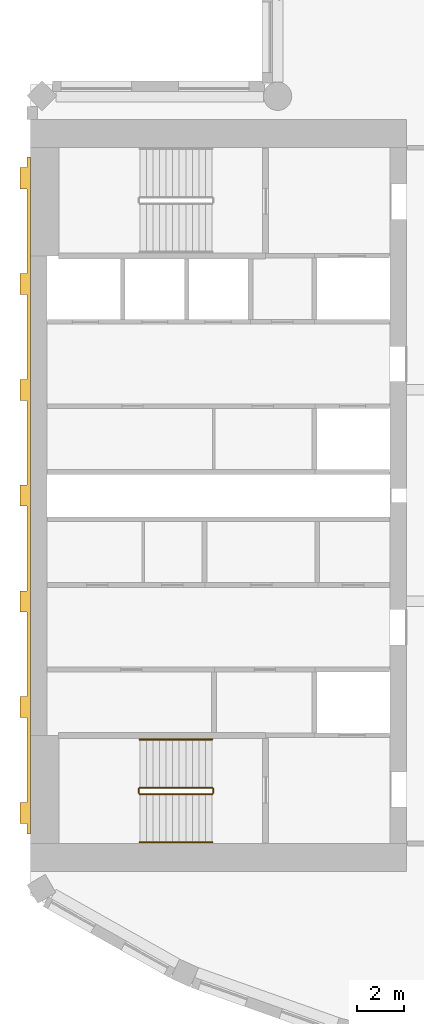
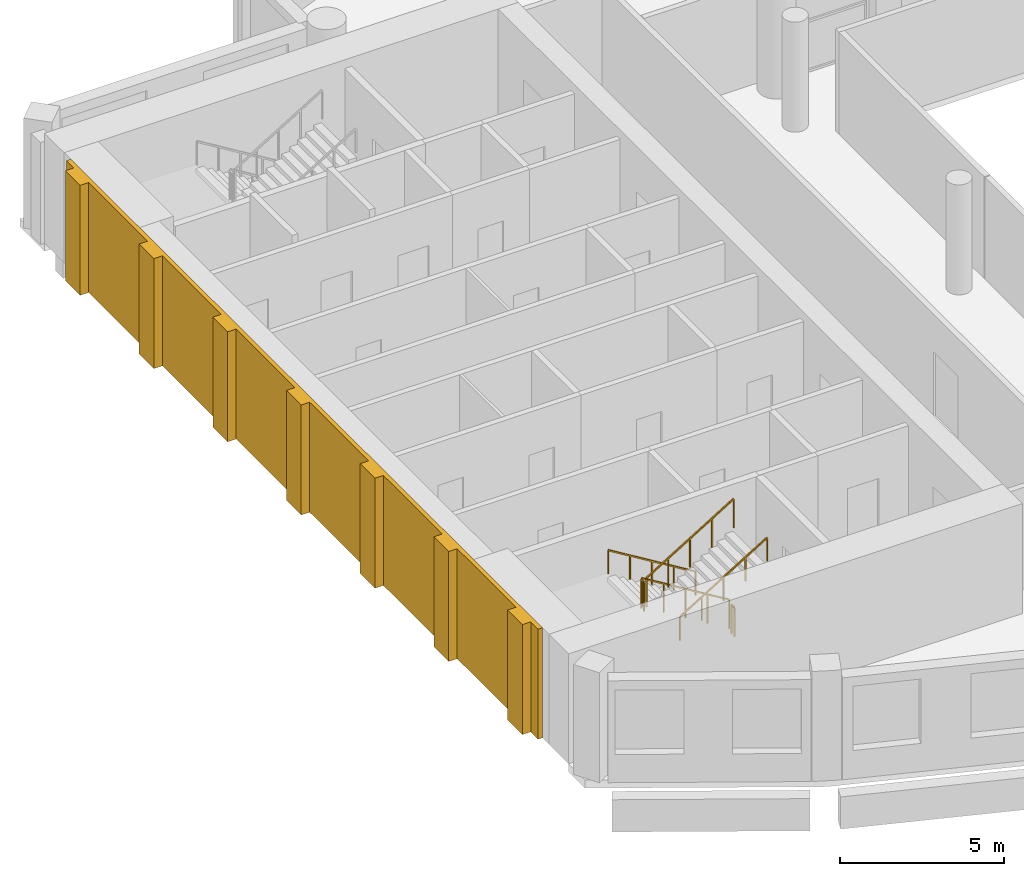
# One storey, part 11 of 15: 6 railings, 1 covering.
"""IFC4 building model written with IfcOpenShell, lengths in metres."""

import ifcopenshell
import ifcopenshell.guid

model = None  # the IFC model being written
_history = None  # IfcOwnerHistory: only IFC2X3 demands one
_inside = {}  # id of a spatial element -> (the spatial element, [elements in it])
_under = {}  # id of a project, library or spatial element -> (it, [spatial elements below it])
_declared = {}  # id of a project -> (the project, [libraries it declares])
_typed = {}  # id of a type object -> (the type object, [elements of that type])
_made_of = {}  # id of a material, layer set ... -> (it, [elements and type objects made of it])


def new_model(schema):
    """Start an empty IFC model of exactly this schema.

    Asked for "IFC4X3", IfcOpenShell would pick the latest addendum, in which some entities
    have other attributes; the version numbers below select the first issue.
    IFC2X3 requires an IfcOwnerHistory on every rooted entity: one is made here for all.
    """
    global model, _history
    if schema == "IFC4X3":
        model = ifcopenshell.file(schema_version=(4, 3, 0, 0))
    else:
        model = ifcopenshell.file(schema=schema)
    _inside.clear()
    _under.clear()
    _declared.clear()
    _typed.clear()
    _made_of.clear()
    _history = None
    if model.schema == "IFC2X3":
        org = make("IfcOrganization", Name="unknown")
        user = make(
            "IfcPersonAndOrganization",
            ThePerson=make("IfcPerson", FamilyName="unknown"),
            TheOrganization=org,
        )
        app = make(
            "IfcApplication",
            ApplicationDeveloper=org,
            Version="unknown",
            ApplicationFullName="unknown",
            ApplicationIdentifier="unknown",
        )
        _history = make(
            "IfcOwnerHistory",
            OwningUser=user,
            OwningApplication=app,
            ChangeAction="ADDED",
            CreationDate=0,
        )
    return model


def make(cls, **values):
    """One entity of the class cls with the attributes given. An attribute that is None is left unset."""
    return model.create_entity(
        cls, **{name: value for name, value in values.items() if value is not None}
    )


def rooted(cls, **values):
    """An entity with a GlobalId (a new one), such as an element, a storey or a relation."""
    return make(cls, GlobalId=ifcopenshell.guid.new(), OwnerHistory=_history, **values)


def si_unit(unit_type, name, prefix=None):
    """IfcSIUnit, for example si_unit("LENGTHUNIT", "METRE", prefix="MILLI")."""
    return make("IfcSIUnit", UnitType=unit_type, Prefix=prefix, Name=name)


def assignment(units):
    """IfcUnitAssignment: the units of a project."""
    return None if units is None else make("IfcUnitAssignment", Units=units)


def point(xyz):
    """IfcCartesianPoint."""
    return None if xyz is None else make("IfcCartesianPoint", Coordinates=xyz)


def direction(xyz):
    """IfcDirection."""
    return None if xyz is None else make("IfcDirection", DirectionRatios=xyz)


def frame(location, z_axis=None, x_axis=None):
    """IfcAxis2Placement3D, a coordinate frame: its origin and axes. An axis left out is left unset."""
    return make(
        "IfcAxis2Placement3D",
        Location=point(location),
        Axis=direction(z_axis),
        RefDirection=direction(x_axis),
    )


def frame_2d(location, x_axis=None):
    """IfcAxis2Placement2D, a coordinate frame in the plane: its origin and x axis."""
    return make(
        "IfcAxis2Placement2D", Location=point(location), RefDirection=direction(x_axis)
    )


def origin():
    """The frame at (0, 0, 0) with its axes left unset."""
    return frame((0.0, 0.0, 0.0))


def origin_2d():
    """The frame at (0, 0) in the plane with its x axis left unset."""
    return frame_2d((0.0, 0.0))


def place(relative_to, where):
    """IfcLocalPlacement: puts the frame where relative to a parent placement (None: the world)."""
    return make(
        "IfcLocalPlacement", PlacementRelTo=relative_to, RelativePlacement=where
    )


def context(
    kind, dimensions, precision=None, world=None, true_north=None, identifier=None
):
    """IfcGeometricRepresentationContext, for example the 3D "Model" context."""
    return make(
        "IfcGeometricRepresentationContext",
        ContextIdentifier=identifier,
        ContextType=kind,
        CoordinateSpaceDimension=dimensions,
        Precision=precision,
        WorldCoordinateSystem=world,
        TrueNorth=true_north,
    )


def subcontext(parent, identifier, kind, view, scale=None):
    """IfcGeometricRepresentationSubContext, for example "Body" below "Model"."""
    return make(
        "IfcGeometricRepresentationSubContext",
        ContextIdentifier=identifier,
        ContextType=kind,
        ParentContext=parent,
        TargetScale=scale,
        TargetView=view,
    )


def project(units=None, contexts=None):
    """IfcProject with its units and contexts."""
    return rooted(
        "IfcProject",
        Name="project",
        RepresentationContexts=contexts,
        UnitsInContext=assignment(units),
    )


def spatial(cls, under=None, at=None, **own):
    """A site, building, storey or space (cls), placed at a placement, below another one or the project."""
    s = rooted(cls, ObjectPlacement=at, **own)
    if under is not None:
        _under.setdefault(under.id(), (under, []))[1].append(s)
    return s


def polyline(points):
    """IfcPolyline through the points."""
    return make("IfcPolyline", Points=[point(p) for p in points])


def profile(cls, at=None, kind="AREA", **sizes):
    """A parametric profile (cls). Its sizes go by their IFC names, for example OverallWidth=200.0."""
    return make(cls, ProfileType=kind, Position=at, **sizes)


def rectangle(**sizes):
    """IfcRectangleProfileDef."""
    return profile("IfcRectangleProfileDef", **sizes)


def outline(outer, holes=None, kind="AREA"):
    """IfcArbitraryClosedProfileDef: a profile drawn as a closed curve; with holes, ...WithVoids."""
    if holes is None:
        return make("IfcArbitraryClosedProfileDef", ProfileType=kind, OuterCurve=outer)
    return make(
        "IfcArbitraryProfileDefWithVoids",
        ProfileType=kind,
        OuterCurve=outer,
        InnerCurves=holes,
    )


def extrude(swept, where, along, depth):
    """IfcExtrudedAreaSolid: the profile swept, set in the frame where, extruded along a direction by depth."""
    return make(
        "IfcExtrudedAreaSolid",
        SweptArea=swept,
        Position=where,
        ExtrudedDirection=direction(along),
        Depth=depth,
    )


def shape(context_of_items, identifier, shape_type, items):
    """IfcShapeRepresentation: the items that make up one representation, for example the "Body"."""
    return make(
        "IfcShapeRepresentation",
        ContextOfItems=context_of_items,
        RepresentationIdentifier=identifier,
        RepresentationType=shape_type,
        Items=items,
    )


def material(Name=None, Category=None):
    """IfcMaterial."""
    return make("IfcMaterial", Name=Name, Category=Category)


def layer(
    of_material, thickness, ventilated=None, Name=None, Category=None, Priority=None
):
    """IfcMaterialLayer: one layer of a wall or slab, of a material (None: an air gap)."""
    return make(
        "IfcMaterialLayer",
        Material=of_material,
        LayerThickness=thickness,
        IsVentilated=ventilated,
        Name=Name,
        Category=Category,
        Priority=Priority,
    )


def layer_set(layers, Name=None):
    """IfcMaterialLayerSet."""
    return make("IfcMaterialLayerSet", MaterialLayers=layers, LayerSetName=Name)


def made_of(thing, what):
    """Note that an element or type object is made of a material, layer set ...; save() writes the relation."""
    if what is not None:
        _made_of.setdefault(what.id(), (what, []))[1].append(thing)
    return thing


def type_object(cls, material=None, **own):
    """A type object (cls), such as IfcWallType, which elements share."""
    return made_of(rooted(cls, **own), material)


def element(
    cls,
    number,
    at=None,
    inside=None,
    cuts=None,
    type_object=None,
    material=None,
    context=None,
    identifier="Body",
    shape_type=None,
    held_by="IfcProductDefinitionShape",
    body=None,
    shapes=None,
    **own,
):
    """One element of the class cls, such as IfcWall. Its Tag is "e" and its number.

    at: its placement. inside: the storey or other place that contains it. cuts: it is an
    opening in that element (IfcRelVoidsElement). A single representation is given by context,
    identifier, shape_type and body (its items); several are given by shapes. held_by: the class
    of the entity that holds the representations. save() writes the other relations.
    """
    e = rooted(cls, Tag="e%d" % number, ObjectPlacement=at, **own)
    if body is not None:
        shapes = [shape(context, identifier, shape_type, body)]
    if shapes is not None:
        e.Representation = make(held_by, Representations=shapes)
    if inside is not None:
        _inside.setdefault(inside.id(), (inside, []))[1].append(e)
    if cuts is not None:
        rooted(
            "IfcRelVoidsElement", RelatingBuildingElement=cuts, RelatedOpeningElement=e
        )
    if type_object is not None:
        _typed.setdefault(type_object.id(), (type_object, []))[1].append(e)
    return made_of(e, material)


def aggregate(whole, parts):
    """IfcRelAggregates: a whole, such as a stair, and the parts it consists of."""
    return rooted("IfcRelAggregates", RelatingObject=whole, RelatedObjects=parts)


def save(model, path):
    """Write the relations noted so far, then the file.

    IfcRelAggregates (storeys below a building ...), IfcRelContainedInSpatialStructure (elements
    in a storey), IfcRelDefinesByType, IfcRelAssociatesMaterial and IfcRelDeclares: one each for
    every whole, place, type object, material and project.
    """
    for whole, parts in _under.values():
        aggregate(whole, parts)
    for where, things in _inside.values():
        rooted(
            "IfcRelContainedInSpatialStructure",
            RelatedElements=things,
            RelatingStructure=where,
        )
    for kind, things in _typed.values():
        rooted("IfcRelDefinesByType", RelatedObjects=things, RelatingType=kind)
    for what, things in _made_of.values():
        rooted("IfcRelAssociatesMaterial", RelatedObjects=things, RelatingMaterial=what)
    for by, libraries in _declared.values():
        rooted("IfcRelDeclares", RelatingContext=by, RelatedDefinitions=libraries)
    model.write(path)


model = new_model("IFC4")

# Units and contexts
model_context = context("Model", 3, precision=1e-05, world=origin(), true_north=direction((0.0, 1.0)))
body_context = subcontext(model_context, "Body", "Model", "MODEL_VIEW")
ifc_project = project(units=[si_unit("LENGTHUNIT", "METRE"), si_unit("AREAUNIT", "SQUARE_METRE"), si_unit("VOLUMEUNIT", "CUBIC_METRE"), si_unit("PLANEANGLEUNIT", "RADIAN"), si_unit("MASSUNIT", "GRAM", prefix="KILO")], contexts=[model_context])

# Site, building, storey
site_placement = place(None, origin())
site = spatial("IfcSite", under=ifc_project, at=site_placement, CompositionType="ELEMENT")
building_placement = place(site_placement, origin())
building = spatial("IfcBuilding", under=site, at=building_placement, Name="Cypress Arch Tower", CompositionType="ELEMENT")
storey_placement = place(building_placement, frame((0.0, 0.0, 321.300048828125)))
storey = spatial("IfcBuildingStorey", under=building, at=storey_placement, Name="L73", CompositionType="ELEMENT", Elevation=321.300048828125)

# Railings
ifc_material_1 = material(Name="Black powder-coated steel square bar 48 mm", Category="steel")
railing_type_1 = type_object("IfcRailingType", Name="Stair handrail HR1", PredefinedType="HANDRAIL", material=ifc_material_1)
railing_1_placement = place(storey_placement, frame((-22.27490234375, -10.375, 0.1708984375)))
element("IfcRailing", 1, at=railing_1_placement, inside=storey, type_object=railing_type_1, Name="L73 A stair handrail 1", PredefinedType="HANDRAIL", context=body_context, shape_type="SweptSolid", body=[
    extrude(rectangle(XDim=0.048095703125, YDim=0.048095703125, at=origin_2d()), frame((0.0, 0.0, 0.8759765625), z_axis=(-0.853666305674, 0.0, 0.52082035152), x_axis=(0.0, -1.0, 0.0)), (0.0, 0.0, 1.0), 3.608154296875),
    extrude(rectangle(XDim=0.0419921875, YDim=0.0419921875, at=origin_2d()), origin(), (0.0, 0.0, 1.0), 0.851806640625),
    extrude(rectangle(XDim=0.0419921875, YDim=0.0419921875, at=origin_2d()), frame((-0.77001953125, 0.0, 0.4697265625)), (0.0, 0.0, 1.0), 0.851806640625),
    extrude(rectangle(XDim=0.0419921875, YDim=0.0419921875, at=origin_2d()), frame((-1.5400390625, 0.0, 0.939453125)), (0.0, 0.0, 1.0), 0.851806640625),
    extrude(rectangle(XDim=0.0419921875, YDim=0.0419921875, at=origin_2d()), frame((-2.31005859375, 0.0, 1.409423828125)), (0.0, 0.0, 1.0), 0.851806640625),
    extrude(rectangle(XDim=0.0419921875, YDim=0.0419921875, at=origin_2d()), frame((-3.080078125, 0.0, 1.879150390625)), (0.0, 0.0, 1.0), 0.851806640625),
])
railing_2_placement = place(storey_placement, frame((-25.35498046875, -14.75, 2.220703125)))
element("IfcRailing", 2, at=railing_2_placement, inside=storey, type_object=railing_type_1, Name="L73 A stair handrail 2", PredefinedType="HANDRAIL", context=body_context, shape_type="SweptSolid", body=[
    extrude(rectangle(XDim=0.048095703125, YDim=0.048095703125, at=origin_2d()), frame((0.0, 0.0, 0.8759765625), z_axis=(0.853666305674, 0.0, 0.52082035152), x_axis=(0.0, 1.0, 0.0)), (0.0, 0.0, 1.0), 3.608154296875),
    extrude(rectangle(XDim=0.0419921875, YDim=0.0419921875, at=origin_2d()), origin(), (0.0, 0.0, 1.0), 0.851806640625),
    extrude(rectangle(XDim=0.0419921875, YDim=0.0419921875, at=origin_2d()), frame((0.77001953125, 0.0, 0.4697265625)), (0.0, 0.0, 1.0), 0.851806640625),
    extrude(rectangle(XDim=0.0419921875, YDim=0.0419921875, at=origin_2d()), frame((1.5400390625, 0.0, 0.939453125)), (0.0, 0.0, 1.0), 0.851806640625),
    extrude(rectangle(XDim=0.0419921875, YDim=0.0419921875, at=origin_2d()), frame((2.31005859375, 0.0, 1.409423828125)), (0.0, 0.0, 1.0), 0.851806640625),
    extrude(rectangle(XDim=0.0419921875, YDim=0.0419921875, at=origin_2d()), frame((3.080078125, 0.0, 1.879150390625)), (0.0, 0.0, 1.0), 0.851806640625),
])
ifc_material_2 = material(Name="Black powder-coated steel balusters", Category="steel")
railing_type_2 = type_object("IfcRailingType", Name="Stair well guard G1", PredefinedType="GUARDRAIL", material=ifc_material_2)
railing_3_placement = place(storey_placement, frame((-22.27490234375, -12.425048828125, 0.1708984375)))
element("IfcRailing", 3, at=railing_3_placement, inside=storey, type_object=railing_type_2, Name="L73 A stair guard 1", PredefinedType="GUARDRAIL", context=body_context, shape_type="SweptSolid", body=[
    extrude(rectangle(XDim=0.048095703125, YDim=0.048095703125, at=origin_2d()), frame((0.0, 0.0, 1.076171875), z_axis=(-0.853666305674, 0.0, 0.52082035152), x_axis=(0.0, -1.0, 0.0)), (0.0, 0.0, 1.0), 3.608154296875),
    extrude(rectangle(XDim=0.0419921875, YDim=0.0419921875, at=origin_2d()), origin(), (0.0, 0.0, 1.0), 1.052001953125),
    extrude(rectangle(XDim=0.0419921875, YDim=0.0419921875, at=origin_2d()), frame((-0.77001953125, 0.0, 0.4697265625)), (0.0, 0.0, 1.0), 1.052001953125),
    extrude(rectangle(XDim=0.0419921875, YDim=0.0419921875, at=origin_2d()), frame((-1.5400390625, 0.0, 0.939453125)), (0.0, 0.0, 1.0), 1.052001953125),
    extrude(rectangle(XDim=0.0419921875, YDim=0.0419921875, at=origin_2d()), frame((-2.31005859375, 0.0, 1.409423828125)), (0.0, 0.0, 1.0), 1.052001953125),
    extrude(rectangle(XDim=0.0419921875, YDim=0.0419921875, at=origin_2d()), frame((-3.080078125, 0.0, 1.879150390625)), (0.0, 0.0, 1.0), 1.052001953125),
])
railing_4_placement = place(storey_placement, frame((-25.405029296875, -12.47509765625, 2.050048828125)))
element("IfcRailing", 4, at=railing_4_placement, inside=storey, type_object=railing_type_2, Name="L73 A stair guard 2", PredefinedType="GUARDRAIL", context=body_context, shape_type="SweptSolid", body=[
    extrude(rectangle(XDim=0.048095703125, YDim=0.048095703125, at=origin_2d()), frame((0.0, 0.0, 1.076171875), z_axis=(0.0, -1.0, 0.0), x_axis=(1.0, 0.0, 0.0)), (0.0, 0.0, 1.0), 0.1748046875),
    extrude(rectangle(XDim=0.0419921875, YDim=0.0419921875, at=origin_2d()), origin(), (0.0, 0.0, 1.0), 1.052001953125),
    extrude(rectangle(XDim=0.0419921875, YDim=0.0419921875, at=origin_2d()), frame((0.0, -0.1748046875, 0.0)), (0.0, 0.0, 1.0), 1.052001953125),
])
railing_5_placement = place(storey_placement, frame((-25.35498046875, -12.699951171875, 2.220703125)))
element("IfcRailing", 5, at=railing_5_placement, inside=storey, type_object=railing_type_2, Name="L73 A stair guard 3", PredefinedType="GUARDRAIL", context=body_context, shape_type="SweptSolid", body=[
    extrude(rectangle(XDim=0.048095703125, YDim=0.048095703125, at=origin_2d()), frame((0.0, 0.0, 1.076171875), z_axis=(0.853666305674, 0.0, 0.52082035152), x_axis=(0.0, 1.0, 0.0)), (0.0, 0.0, 1.0), 3.608154296875),
    extrude(rectangle(XDim=0.0419921875, YDim=0.0419921875, at=origin_2d()), origin(), (0.0, 0.0, 1.0), 1.052001953125),
    extrude(rectangle(XDim=0.0419921875, YDim=0.0419921875, at=origin_2d()), frame((0.77001953125, 0.0, 0.4697265625)), (0.0, 0.0, 1.0), 1.052001953125),
    extrude(rectangle(XDim=0.0419921875, YDim=0.0419921875, at=origin_2d()), frame((1.5400390625, 0.0, 0.939453125)), (0.0, 0.0, 1.0), 1.052001953125),
    extrude(rectangle(XDim=0.0419921875, YDim=0.0419921875, at=origin_2d()), frame((2.31005859375, 0.0, 1.409423828125)), (0.0, 0.0, 1.0), 1.052001953125),
    extrude(rectangle(XDim=0.0419921875, YDim=0.0419921875, at=origin_2d()), frame((3.080078125, 0.0, 1.879150390625)), (0.0, 0.0, 1.0), 1.052001953125),
])
railing_6_placement = place(storey_placement, frame((-22.22509765625, -12.47509765625, 0.0)))
element("IfcRailing", 6, at=railing_6_placement, inside=storey, type_object=railing_type_2, Name="L73 A stair guard 4", PredefinedType="GUARDRAIL", context=body_context, shape_type="SweptSolid", body=[
    extrude(rectangle(XDim=0.048095703125, YDim=0.048095703125, at=origin_2d()), frame((0.0, 0.0, 1.076171875), z_axis=(0.0, -1.0, 0.0), x_axis=(1.0, 0.0, 0.0)), (0.0, 0.0, 1.0), 0.1748046875),
    extrude(rectangle(XDim=0.0419921875, YDim=0.0419921875, at=origin_2d()), origin(), (0.0, 0.0, 1.0), 1.052001953125),
    extrude(rectangle(XDim=0.0419921875, YDim=0.0419921875, at=origin_2d()), frame((0.0, -0.1748046875, 0.0)), (0.0, 0.0, 1.0), 1.052001953125),
])

# Covering
ifc_material_3 = material(Name="Brick (red buff blend)", Category="masonry")
ifc_layer = layer(ifc_material_3, 0.449951171875)
ifc_layer_set = layer_set([ifc_layer], Name="West face brick piers WP450")
covering_type = type_object("IfcCoveringType", Name="West face brick piers WP450", PredefinedType="CLADDING", material=ifc_layer_set)
covering_placement = place(storey_placement, origin())
element("IfcCovering", 7, at=covering_placement, inside=storey, type_object=covering_type, Name="West face brick piers L73", PredefinedType="CLADDING", context=body_context, shape_type="SweptSolid", body=[
    extrude(outline(polyline([(-30.14990234375, -13.050048828125), (-30.14990234375, -9.449951171875), (-30.449951171875, -9.449951171875), (-30.449951171875, -8.550048828125), (-30.14990234375, -8.550048828125), (-30.14990234375, -4.949951171875), (-30.449951171875, -4.949951171875), (-30.449951171875, -4.050048828125), (-30.14990234375, -4.050048828125), (-30.14990234375, -0.449951171875), (-30.449951171875, -0.449951171875), (-30.449951171875, 0.449951171875), (-30.14990234375, 0.449951171875), (-30.14990234375, 4.050048828125), (-30.449951171875, 4.050048828125), (-30.449951171875, 4.949951171875), (-30.14990234375, 4.949951171875), (-30.14990234375, 8.550048828125), (-30.449951171875, 8.550048828125), (-30.449951171875, 9.449951171875), (-30.14990234375, 9.449951171875), (-30.14990234375, 13.050048828125), (-30.449951171875, 13.050048828125), (-30.449951171875, 13.949951171875), (-30.14990234375, 13.949951171875), (-30.14990234375, 14.39990234375), (-30.0, 14.39990234375), (-30.0, -14.39990234375), (-30.14990234375, -14.39990234375), (-30.14990234375, -13.949951171875), (-30.449951171875, -13.949951171875), (-30.449951171875, -13.050048828125), (-30.14990234375, -13.050048828125)])), origin(), (0.0, 0.0, 1.0), 4.099853515625),
])

save(model, "model.ifc")
